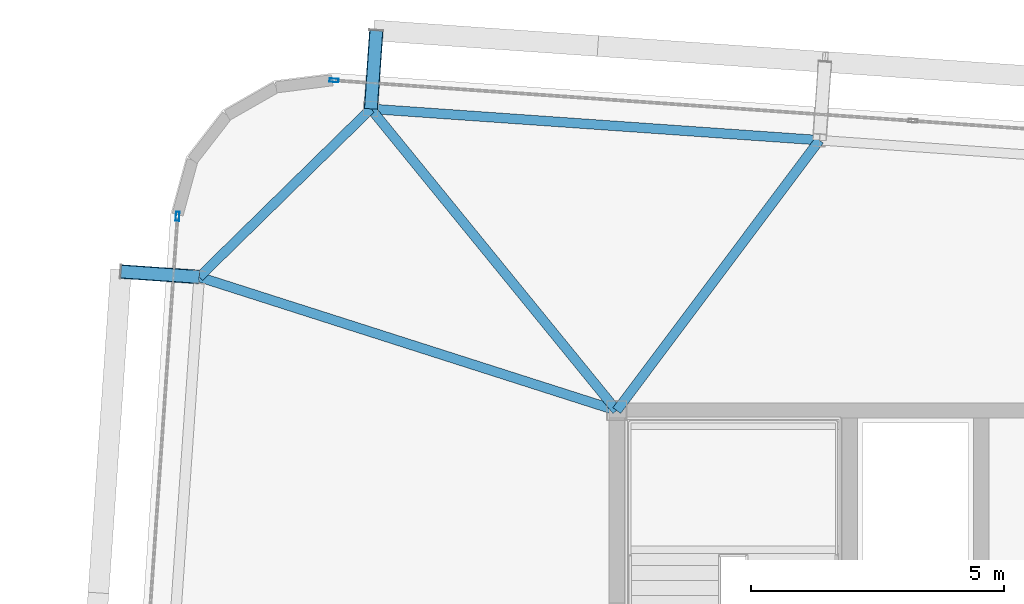
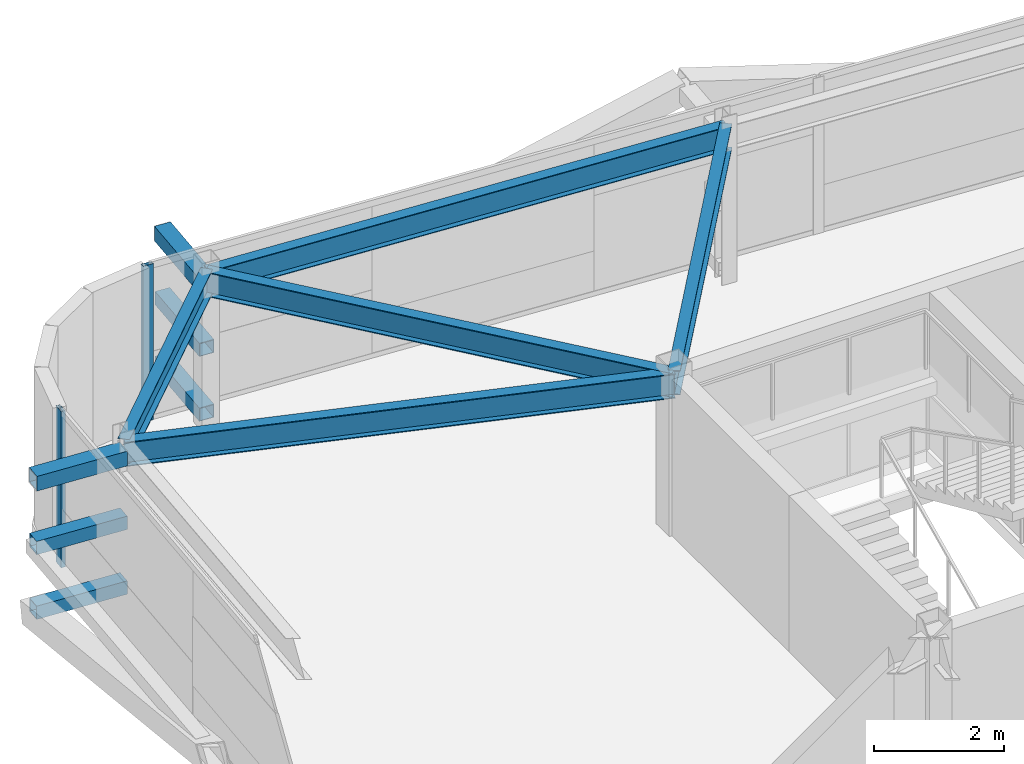
# One storey, part 19 of 39: 8 members, 5 beams, 2 elements without a shape of their own.
"""IFC4 building model written with IfcOpenShell, lengths in metres."""

import ifcopenshell
import ifcopenshell.guid

model = None  # the IFC model being written
_history = None  # IfcOwnerHistory: only IFC2X3 demands one
_inside = {}  # id of a spatial element -> (the spatial element, [elements in it])
_under = {}  # id of a project, library or spatial element -> (it, [spatial elements below it])
_declared = {}  # id of a project -> (the project, [libraries it declares])
_typed = {}  # id of a type object -> (the type object, [elements of that type])
_made_of = {}  # id of a material, layer set ... -> (it, [elements and type objects made of it])


def new_model(schema):
    """Start an empty IFC model of exactly this schema.

    Asked for "IFC4X3", IfcOpenShell would pick the latest addendum, in which some entities
    have other attributes; the version numbers below select the first issue.
    IFC2X3 requires an IfcOwnerHistory on every rooted entity: one is made here for all.
    """
    global model, _history
    if schema == "IFC4X3":
        model = ifcopenshell.file(schema_version=(4, 3, 0, 0))
    else:
        model = ifcopenshell.file(schema=schema)
    _inside.clear()
    _under.clear()
    _declared.clear()
    _typed.clear()
    _made_of.clear()
    _history = None
    if model.schema == "IFC2X3":
        org = make("IfcOrganization", Name="unknown")
        user = make(
            "IfcPersonAndOrganization",
            ThePerson=make("IfcPerson", FamilyName="unknown"),
            TheOrganization=org,
        )
        app = make(
            "IfcApplication",
            ApplicationDeveloper=org,
            Version="unknown",
            ApplicationFullName="unknown",
            ApplicationIdentifier="unknown",
        )
        _history = make(
            "IfcOwnerHistory",
            OwningUser=user,
            OwningApplication=app,
            ChangeAction="ADDED",
            CreationDate=0,
        )
    return model


def make(cls, **values):
    """One entity of the class cls with the attributes given. An attribute that is None is left unset."""
    return model.create_entity(
        cls, **{name: value for name, value in values.items() if value is not None}
    )


def rooted(cls, **values):
    """An entity with a GlobalId (a new one), such as an element, a storey or a relation."""
    return make(cls, GlobalId=ifcopenshell.guid.new(), OwnerHistory=_history, **values)


def si_unit(unit_type, name, prefix=None):
    """IfcSIUnit, for example si_unit("LENGTHUNIT", "METRE", prefix="MILLI")."""
    return make("IfcSIUnit", UnitType=unit_type, Prefix=prefix, Name=name)


def assignment(units):
    """IfcUnitAssignment: the units of a project."""
    return None if units is None else make("IfcUnitAssignment", Units=units)


def point(xyz):
    """IfcCartesianPoint."""
    return None if xyz is None else make("IfcCartesianPoint", Coordinates=xyz)


def direction(xyz):
    """IfcDirection."""
    return None if xyz is None else make("IfcDirection", DirectionRatios=xyz)


def frame(location, z_axis=None, x_axis=None):
    """IfcAxis2Placement3D, a coordinate frame: its origin and axes. An axis left out is left unset."""
    return make(
        "IfcAxis2Placement3D",
        Location=point(location),
        Axis=direction(z_axis),
        RefDirection=direction(x_axis),
    )


def frame_2d(location, x_axis=None):
    """IfcAxis2Placement2D, a coordinate frame in the plane: its origin and x axis."""
    return make(
        "IfcAxis2Placement2D", Location=point(location), RefDirection=direction(x_axis)
    )


def origin():
    """The frame at (0, 0, 0) with its axes left unset."""
    return frame((0.0, 0.0, 0.0))


def origin_2d():
    """The frame at (0, 0) in the plane with its x axis left unset."""
    return frame_2d((0.0, 0.0))


def place(relative_to, where):
    """IfcLocalPlacement: puts the frame where relative to a parent placement (None: the world)."""
    return make(
        "IfcLocalPlacement", PlacementRelTo=relative_to, RelativePlacement=where
    )


def context(
    kind, dimensions, precision=None, world=None, true_north=None, identifier=None
):
    """IfcGeometricRepresentationContext, for example the 3D "Model" context."""
    return make(
        "IfcGeometricRepresentationContext",
        ContextIdentifier=identifier,
        ContextType=kind,
        CoordinateSpaceDimension=dimensions,
        Precision=precision,
        WorldCoordinateSystem=world,
        TrueNorth=true_north,
    )


def subcontext(parent, identifier, kind, view, scale=None):
    """IfcGeometricRepresentationSubContext, for example "Body" below "Model"."""
    return make(
        "IfcGeometricRepresentationSubContext",
        ContextIdentifier=identifier,
        ContextType=kind,
        ParentContext=parent,
        TargetScale=scale,
        TargetView=view,
    )


def project(units=None, contexts=None):
    """IfcProject with its units and contexts."""
    return rooted(
        "IfcProject",
        Name="project",
        RepresentationContexts=contexts,
        UnitsInContext=assignment(units),
    )


def spatial(cls, under=None, at=None, **own):
    """A site, building, storey or space (cls), placed at a placement, below another one or the project."""
    s = rooted(cls, ObjectPlacement=at, **own)
    if under is not None:
        _under.setdefault(under.id(), (under, []))[1].append(s)
    return s


def profile(cls, at=None, kind="AREA", **sizes):
    """A parametric profile (cls). Its sizes go by their IFC names, for example OverallWidth=200.0."""
    return make(cls, ProfileType=kind, Position=at, **sizes)


def hollow_rectangle(**sizes):
    """IfcRectangleHollowProfileDef."""
    return profile("IfcRectangleHollowProfileDef", **sizes)


def i_section(**sizes):
    """IfcIShapeProfileDef."""
    return profile("IfcIShapeProfileDef", **sizes)


def extrude(swept, where, along, depth):
    """IfcExtrudedAreaSolid: the profile swept, set in the frame where, extruded along a direction by depth."""
    return make(
        "IfcExtrudedAreaSolid",
        SweptArea=swept,
        Position=where,
        ExtrudedDirection=direction(along),
        Depth=depth,
    )


def shape(context_of_items, identifier, shape_type, items):
    """IfcShapeRepresentation: the items that make up one representation, for example the "Body"."""
    return make(
        "IfcShapeRepresentation",
        ContextOfItems=context_of_items,
        RepresentationIdentifier=identifier,
        RepresentationType=shape_type,
        Items=items,
    )


def source(mapping_origin, context_of_items, identifier, shape_type, items):
    """IfcRepresentationMap: a shape defined once, which mapped items show again and again."""
    return make(
        "IfcRepresentationMap",
        MappingOrigin=mapping_origin,
        MappedRepresentation=shape(context_of_items, identifier, shape_type, items),
    )


def transform(
    local_origin,
    x_axis=None,
    y_axis=None,
    z_axis=None,
    scale=None,
    scale2=None,
    scale3=None,
    uniform=True,
):
    """IfcCartesianTransformationOperator3D, or its non-uniform kind. x_axis, y_axis, z_axis: its Axis1, 2, 3."""
    if uniform:
        return make(
            "IfcCartesianTransformationOperator3D",
            Axis1=direction(x_axis),
            Axis2=direction(y_axis),
            LocalOrigin=point(local_origin),
            Scale=scale,
            Axis3=direction(z_axis),
        )
    return make(
        "IfcCartesianTransformationOperator3DnonUniform",
        Axis1=direction(x_axis),
        Axis2=direction(y_axis),
        LocalOrigin=point(local_origin),
        Scale=scale,
        Axis3=direction(z_axis),
        Scale2=scale2,
        Scale3=scale3,
    )


def mapped(mapping_source, mapping_target):
    """IfcMappedItem: shows the shape of a source again, moved by a transform."""
    return make(
        "IfcMappedItem", MappingSource=mapping_source, MappingTarget=mapping_target
    )


def material(Name=None, Category=None):
    """IfcMaterial."""
    return make("IfcMaterial", Name=Name, Category=Category)


def layer(
    of_material, thickness, ventilated=None, Name=None, Category=None, Priority=None
):
    """IfcMaterialLayer: one layer of a wall or slab, of a material (None: an air gap)."""
    return make(
        "IfcMaterialLayer",
        Material=of_material,
        LayerThickness=thickness,
        IsVentilated=ventilated,
        Name=Name,
        Category=Category,
        Priority=Priority,
    )


def layer_set(layers, Name=None):
    """IfcMaterialLayerSet."""
    return make("IfcMaterialLayerSet", MaterialLayers=layers, LayerSetName=Name)


def material_profile(
    of_material, cross_section, Name=None, Category=None, Priority=None
):
    """IfcMaterialProfile: a cross section and its material."""
    return make(
        "IfcMaterialProfile",
        Name=Name,
        Material=of_material,
        Profile=cross_section,
        Priority=Priority,
        Category=Category,
    )


def profile_set(profiles, Name=None, composite=None):
    """IfcMaterialProfileSet."""
    return make(
        "IfcMaterialProfileSet",
        Name=Name,
        MaterialProfiles=profiles,
        CompositeProfile=composite,
    )


def made_of(thing, what):
    """Note that an element or type object is made of a material, layer set ...; save() writes the relation."""
    if what is not None:
        _made_of.setdefault(what.id(), (what, []))[1].append(thing)
    return thing


def type_object(cls, material=None, **own):
    """A type object (cls), such as IfcWallType, which elements share."""
    return made_of(rooted(cls, **own), material)


def element(
    cls,
    number,
    at=None,
    inside=None,
    cuts=None,
    type_object=None,
    material=None,
    context=None,
    identifier="Body",
    shape_type=None,
    held_by="IfcProductDefinitionShape",
    body=None,
    shapes=None,
    **own,
):
    """One element of the class cls, such as IfcWall. Its Tag is "e" and its number.

    at: its placement. inside: the storey or other place that contains it. cuts: it is an
    opening in that element (IfcRelVoidsElement). A single representation is given by context,
    identifier, shape_type and body (its items); several are given by shapes. held_by: the class
    of the entity that holds the representations. save() writes the other relations.
    """
    e = rooted(cls, Tag="e%d" % number, ObjectPlacement=at, **own)
    if body is not None:
        shapes = [shape(context, identifier, shape_type, body)]
    if shapes is not None:
        e.Representation = make(held_by, Representations=shapes)
    if inside is not None:
        _inside.setdefault(inside.id(), (inside, []))[1].append(e)
    if cuts is not None:
        rooted(
            "IfcRelVoidsElement", RelatingBuildingElement=cuts, RelatedOpeningElement=e
        )
    if type_object is not None:
        _typed.setdefault(type_object.id(), (type_object, []))[1].append(e)
    return made_of(e, material)


def aggregate(whole, parts):
    """IfcRelAggregates: a whole, such as a stair, and the parts it consists of."""
    return rooted("IfcRelAggregates", RelatingObject=whole, RelatedObjects=parts)


def save(model, path):
    """Write the relations noted so far, then the file.

    IfcRelAggregates (storeys below a building ...), IfcRelContainedInSpatialStructure (elements
    in a storey), IfcRelDefinesByType, IfcRelAssociatesMaterial and IfcRelDeclares: one each for
    every whole, place, type object, material and project.
    """
    for whole, parts in _under.values():
        aggregate(whole, parts)
    for where, things in _inside.values():
        rooted(
            "IfcRelContainedInSpatialStructure",
            RelatedElements=things,
            RelatingStructure=where,
        )
    for kind, things in _typed.values():
        rooted("IfcRelDefinesByType", RelatedObjects=things, RelatingType=kind)
    for what, things in _made_of.values():
        rooted("IfcRelAssociatesMaterial", RelatedObjects=things, RelatingMaterial=what)
    for by, libraries in _declared.values():
        rooted("IfcRelDeclares", RelatingContext=by, RelatedDefinitions=libraries)
    model.write(path)


model = new_model("IFC4")

# Units and contexts
model_context = context("Model", 3, precision=1e-05, world=origin(), true_north=direction((0.0, 1.0)))
body_context = subcontext(model_context, "Body", "Model", "MODEL_VIEW")
ifc_project = project(units=[si_unit("LENGTHUNIT", "METRE"), si_unit("AREAUNIT", "SQUARE_METRE"), si_unit("VOLUMEUNIT", "CUBIC_METRE"), si_unit("PLANEANGLEUNIT", "RADIAN"), si_unit("MASSUNIT", "GRAM", prefix="KILO")], contexts=[model_context])

# Site, building, storey
site_placement = place(None, origin())
site = spatial("IfcSite", under=ifc_project, at=site_placement, CompositionType="ELEMENT")
building_placement = place(site_placement, origin())
building = spatial("IfcBuilding", under=site, at=building_placement, Name="Taldren Reach Tower", CompositionType="ELEMENT")
storey_placement = place(building_placement, frame((0.0, 0.0, 120.39990234375)))
storey = spatial("IfcBuildingStorey", under=building, at=storey_placement, Name="L36", CompositionType="ELEMENT", Elevation=120.39990234375)

# Members
ifc_material_1 = material(Name="Steel Gr 450 (C450L0)", Category="steel")
ifc_material_profile_1 = material_profile(ifc_material_1, hollow_rectangle(XDim=0.27490234375, YDim=0.27490234375, WallThickness=0.00927734375, at=origin_2d()), Name="275x275x9.3SHS")
ifc_profile_set_1 = profile_set([ifc_material_profile_1], Name="Steel Gr 450 (C450L0)")
member_type_1 = type_object("IfcMemberType", Name="MB-TIE273", PredefinedType="STRUT", material=ifc_profile_set_1)
shared_shape_1 = source(origin(), body_context, "Body", "SweptSolid", [
    extrude(hollow_rectangle(XDim=0.27490234375, YDim=0.27490234375, WallThickness=0.00927734375, at=origin_2d()), origin(), (0.0, 0.0, 1.0), 1.5498046875),
])
for number, where, z_axis, x_axis, name in (
    (1, (14.14453125, 37.958740234375, 2.650146484375), (0.069780535098, 0.997562367434, 0.0), (-0.997562367434, 0.069780535098, 0.0), "Exoskeleton diaphragm tie strut B3-N1 L36"),
    (2, (10.754638671875, 34.63720703125, 2.650146484375), (-0.997562367434, 0.069780535098, 0.0), (-0.069780535098, -0.997562367434, 0.0), "Exoskeleton diaphragm tie strut B3-W3 L36"),
):
    element("IfcMember", number, at=place(storey_placement, frame(where, z_axis=z_axis, x_axis=x_axis)), inside=storey, type_object=member_type_1, Name=name, PredefinedType="STRUT", context=body_context, shape_type="MappedRepresentation", body=[
        mapped(shared_shape_1, transform((0.0, 0.0, 0.0), scale=1.0)),
    ])
ifc_material_2 = material(Name="Steel Gr 350 (C350L0)", Category="steel")
ifc_material_profile_2 = material_profile(ifc_material_2, hollow_rectangle(XDim=0.25, YDim=0.25, WallThickness=0.010009765625, at=origin_2d()), Name="250x250x10.0SHS")
ifc_profile_set_2 = profile_set([ifc_material_profile_2], Name="Steel Gr 350 (C350L0)")
member_type_2 = type_object("IfcMemberType", Name="MB-POST250", PredefinedType="POST", material=ifc_profile_set_2)
shared_shape_2 = source(origin(), body_context, "Body", "SweptSolid", [
    extrude(hollow_rectangle(XDim=0.25, YDim=0.25, WallThickness=0.010009765625, at=origin_2d()), origin(), (0.0, 0.0, 1.0), 1.5498046875),
])
for number, where, z_axis, x_axis, name in (
    (3, (14.14453125, 37.958740234375, 0.22021484375), (0.069780535098, 0.997562367434, 0.0), (-0.997562367434, 0.069780535098, 0.0), "Exoskeleton base diaphragm tie strut B3-N1 L36"),
    (4, (10.754638671875, 34.63720703125, 0.22021484375), (-0.997562367434, 0.069780535098, 0.0), (-0.069780535098, -0.997562367434, 0.0), "Exoskeleton base diaphragm tie strut B3-W3 L36"),
    (5, (14.14453125, 37.958740234375, 1.43505859375), (0.069780535098, 0.997562367434, 0.0), (-0.997562367434, 0.069780535098, 0.0), "Exoskeleton mid-tier diaphragm tie B3-N1 L36"),
    (6, (10.754638671875, 34.63720703125, 1.43505859375), (-0.997562367434, 0.069780535098, 0.0), (-0.069780535098, -0.997562367434, 0.0), "Exoskeleton mid-tier diaphragm tie B3-W3 L36"),
):
    element("IfcMember", number, at=place(storey_placement, frame(where, z_axis=z_axis, x_axis=x_axis)), inside=storey, type_object=member_type_2, Name=name, PredefinedType="POST", context=body_context, shape_type="MappedRepresentation", body=[
        mapped(shared_shape_2, transform((0.0, 0.0, 0.0), scale=1.0)),
    ])

# Beams
ifc_material_3 = material(Name="Steel Gr 350 (350PLUS)", Category="steel")
ifc_material_profile_3 = material_profile(ifc_material_3, i_section(OverallWidth=0.18994140625, OverallDepth=0.4541015625, WebThickness=0.008544921875, FlangeThickness=0.0126953125, at=origin_2d()), Name="460UB67.1")
ifc_profile_set_3 = profile_set([ifc_material_profile_3], Name="Steel Gr 350 (350PLUS)")
beam_type_1 = type_object("IfcBeamType", Name="SP-UB460B", PredefinedType="SPANDREL", material=ifc_profile_set_3)
shared_shape_3 = source(origin(), body_context, "Body", "SweptSolid", [
    extrude(i_section(OverallWidth=0.18994140625, OverallDepth=0.4541015625, WebThickness=0.008544921875, FlangeThickness=0.0126953125, at=origin_2d()), origin(), (0.0, 0.0, 1.0), 8.880126953125),
])
beam_1_placement = place(storey_placement, frame((23.0029296875, 37.33935546875, 2.703125), z_axis=(-0.997564479639, 0.069750333063, 0.0), x_axis=(-0.069750333063, -0.997564479639, 0.0)))
element("IfcBeam", 7, at=beam_1_placement, inside=storey, type_object=beam_type_1, Name="Perimeter spandrel B3 N2-N1 L36", PredefinedType="SPANDREL", context=body_context, shape_type="MappedRepresentation", body=[
    mapped(shared_shape_3, transform((0.0, 0.0, 0.0), scale=1.0)),
])
shared_shape_4 = source(origin(), body_context, "Body", "SweptSolid", [
    extrude(i_section(OverallWidth=0.18994140625, OverallDepth=0.4541015625, WebThickness=0.008544921875, FlangeThickness=0.0126953125, at=origin_2d()), origin(), (0.0, 0.0, 1.0), 4.745849609375),
])
beam_2_placement = place(storey_placement, frame((14.14453125, 37.958740234375, 2.703125), z_axis=(-0.714271982806, -0.699868226581, 0.0), x_axis=(0.699868226581, -0.714271982806, 0.0)))
element("IfcBeam", 8, at=beam_2_placement, inside=storey, type_object=beam_type_1, Name="Perimeter spandrel B3 N1-W3 L36", PredefinedType="SPANDREL", context=body_context, shape_type="MappedRepresentation", body=[
    mapped(shared_shape_4, transform((0.0, 0.0, 0.0), scale=1.0)),
])
ifc_material_profile_4 = material_profile(ifc_material_3, i_section(OverallWidth=0.19091796875, OverallDepth=0.4599609375, WebThickness=0.010009765625, FlangeThickness=0.01611328125, at=origin_2d()), Name="460UB82.1")
ifc_profile_set_4 = profile_set([ifc_material_profile_4], Name="Steel Gr 350 (350PLUS)")
beam_type_2 = type_object("IfcBeamType", Name="BM-UB460A", PredefinedType="BEAM", material=ifc_profile_set_4)
shared_shape_5 = source(origin(), body_context, "Body", "SweptSolid", [
    extrude(i_section(OverallWidth=0.19091796875, OverallDepth=0.4599609375, WebThickness=0.010009765625, FlangeThickness=0.01611328125, at=origin_2d()), origin(), (0.0, 0.0, 1.0), 6.67333984375),
])
beam_3_placement = place(storey_placement, frame((19.0, 32.0, 2.7001953125), z_axis=(0.599847795508, 0.800114130749, 0.0), x_axis=(-0.800114130749, 0.599847795508, 0.0)))
element("IfcBeam", 9, at=beam_3_placement, inside=storey, type_object=beam_type_2, Name="Primary floor girder B3-N2 L36", PredefinedType="BEAM", context=body_context, shape_type="MappedRepresentation", body=[
    mapped(shared_shape_5, transform((0.0, 0.0, 0.0), scale=1.0)),
])
shared_shape_6 = source(origin(), body_context, "Body", "SweptSolid", [
    extrude(i_section(OverallWidth=0.19091796875, OverallDepth=0.4599609375, WebThickness=0.010009765625, FlangeThickness=0.01611328125, at=origin_2d()), origin(), (0.0, 0.0, 1.0), 7.6865234375),
])
beam_4_placement = place(storey_placement, frame((19.0, 32.0, 2.7001953125), z_axis=(-0.631688504871, 0.775222311866, 0.0), x_axis=(-0.775222311866, -0.631688504871, 0.0)))
element("IfcBeam", 10, at=beam_4_placement, inside=storey, type_object=beam_type_2, Name="Primary floor girder B3-N1 L36", PredefinedType="BEAM", context=body_context, shape_type="MappedRepresentation", body=[
    mapped(shared_shape_6, transform((0.0, 0.0, 0.0), scale=1.0)),
])
shared_shape_7 = source(origin(), body_context, "Body", "SweptSolid", [
    extrude(i_section(OverallWidth=0.19091796875, OverallDepth=0.4599609375, WebThickness=0.010009765625, FlangeThickness=0.01611328125, at=origin_2d()), origin(), (0.0, 0.0, 1.0), 8.65673828125),
])
beam_5_placement = place(storey_placement, frame((19.0, 32.0, 2.7001953125), z_axis=(-0.952468016288, 0.304638602195, 0.0), x_axis=(-0.304638602195, -0.952468016288, 0.0)))
element("IfcBeam", 11, at=beam_5_placement, inside=storey, type_object=beam_type_2, Name="Primary floor girder B3-W3 L36", PredefinedType="BEAM", context=body_context, shape_type="MappedRepresentation", body=[
    mapped(shared_shape_7, transform((0.0, 0.0, 0.0), scale=1.0)),
])

# Curtain wall, member
ifc_material_4 = material(Name="Aluminium and Low-E Glass Unitised System", Category="aluminium")
ifc_layer = layer(ifc_material_4, 0.159912109375)
ifc_layer_set = layer_set([ifc_layer], Name="Aluminium and Low-E Glass Unitised System")
curtain_wall_type = type_object("IfcCurtainWallType", Name="CW-SYS-4", PredefinedType="NOTDEFINED", material=ifc_layer_set)
curtain_wall_1_placement = place(storey_placement, origin())
curtain_wall_1 = element("IfcCurtainWall", 12, at=curtain_wall_1_placement, inside=storey, type_object=curtain_wall_type, Name="Unitised curtain wall CW-L36-N", PredefinedType="NOTDEFINED")
ifc_material_5 = material(Name="Anodised Aluminium 6063-T6", Category="aluminium")
ifc_material_profile_5 = material_profile(ifc_material_5, hollow_rectangle(XDim=0.070068359375, YDim=0.179931640625, WallThickness=0.00390625, at=origin_2d()), Name="ALU-180x70x4RHS")
ifc_profile_set_5 = profile_set([ifc_material_profile_5], Name="Anodised Aluminium 6063-T6")
member_type_3 = type_object("IfcMemberType", Name="CW-MUL-180", PredefinedType="MULLION", material=ifc_profile_set_5)
shared_shape_8 = source(origin(), body_context, "Body", "SweptSolid", [
    extrude(hollow_rectangle(XDim=0.070068359375, YDim=0.179931640625, WallThickness=0.00390625, at=origin_2d()), origin(), (0.0, 0.0, 1.0), 2.93017578125),
])
member_1_placement = place(storey_placement, frame((13.4169921875, 38.52099609375, 0.0), z_axis=(0.0, 0.0, 1.0), x_axis=(-0.06975651593, -0.99756404731, 0.0)))
member_1 = element("IfcMember", 13, at=member_1_placement, type_object=member_type_3, Name="CW-4 mullion 5", PredefinedType="MULLION", context=body_context, shape_type="MappedRepresentation", body=[
    mapped(shared_shape_8, transform((0.0, 0.0, 0.0), scale=1.0)),
])
aggregate(curtain_wall_1, [member_1])

curtain_wall_2_placement = place(storey_placement, origin())
curtain_wall_2 = element("IfcCurtainWall", 14, at=curtain_wall_2_placement, inside=storey, type_object=curtain_wall_type, Name="Unitised curtain wall CW-L36-W", PredefinedType="NOTDEFINED")
member_2_placement = place(storey_placement, frame((10.3271484375, 35.8349609375, 0.0), z_axis=(0.0, 0.0, 1.0), x_axis=(0.997564052812, -0.069756437251, 0.0)))
member_2 = element("IfcMember", 15, at=member_2_placement, type_object=member_type_3, Name="CW-4 mullion 1", PredefinedType="MULLION", context=body_context, shape_type="MappedRepresentation", body=[
    mapped(shared_shape_8, transform((0.0, 0.0, 0.0), scale=1.0)),
])
aggregate(curtain_wall_2, [member_2])

save(model, "model.ifc")
